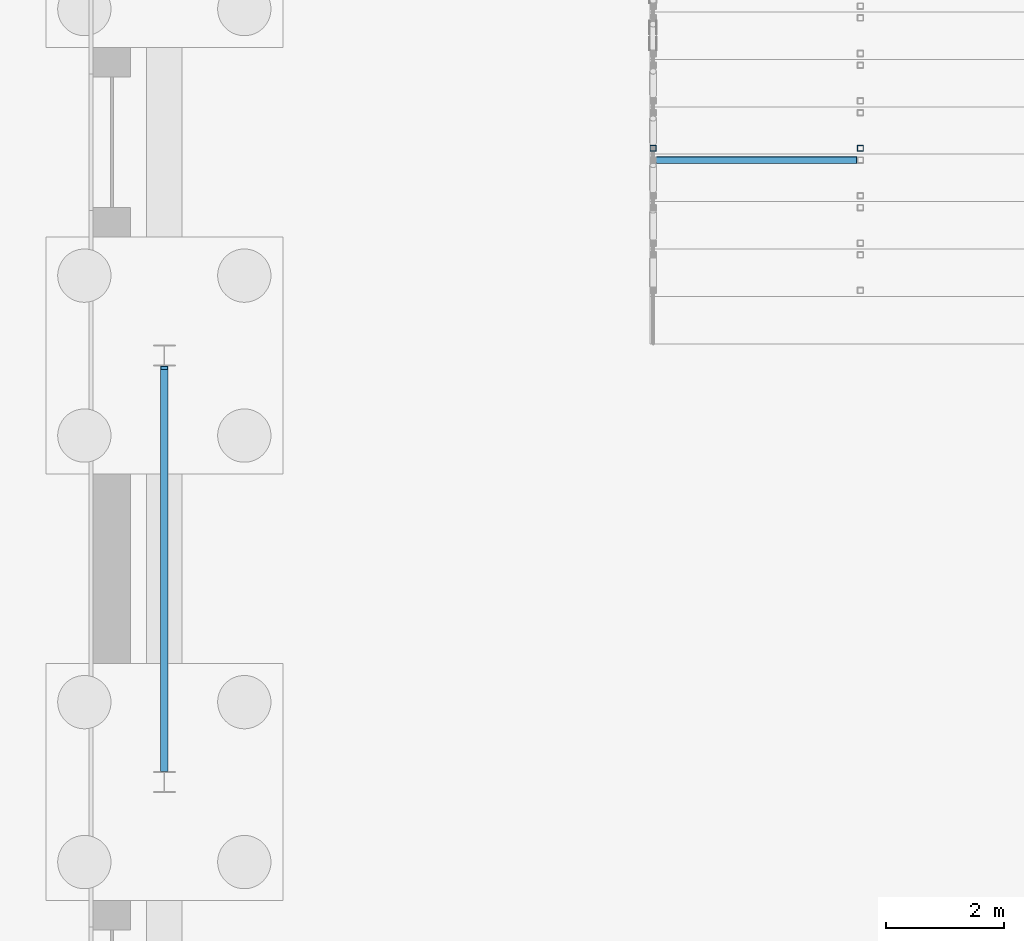
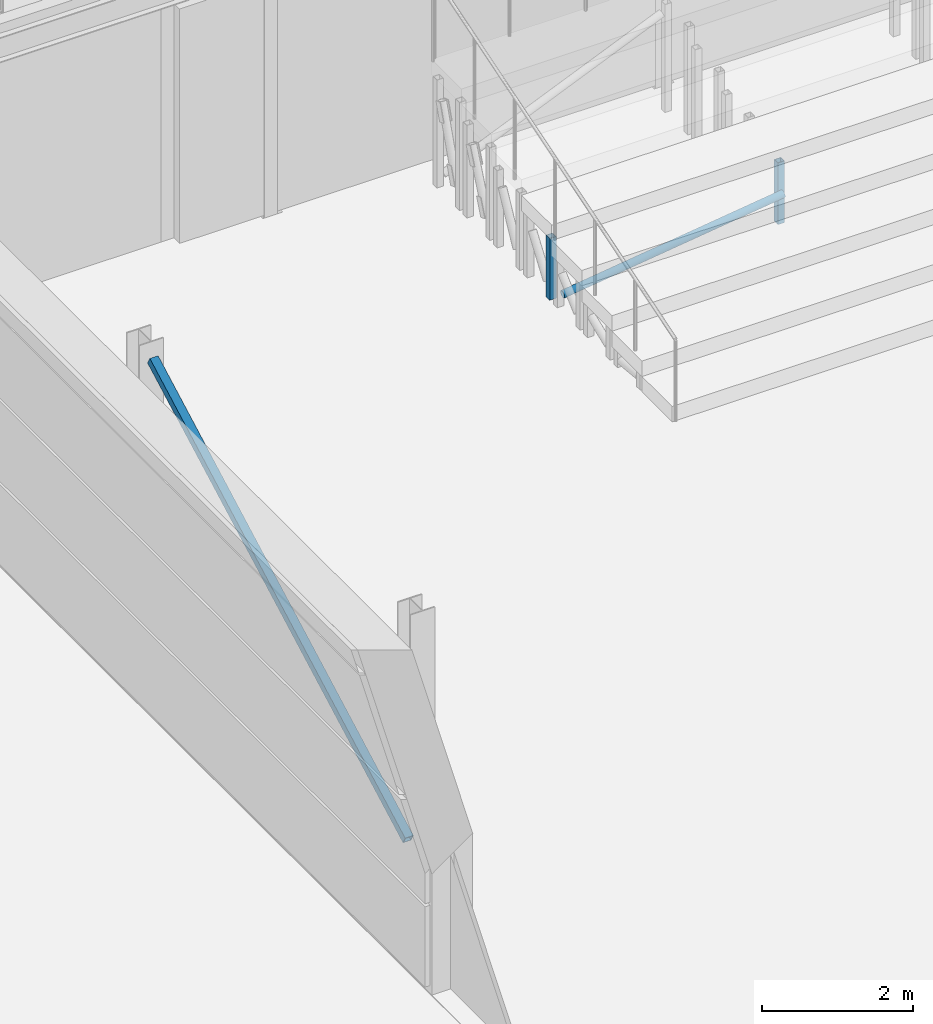
# One storey, part 28 of 139: 4 members.
"""IFC4 building model written with IfcOpenShell, lengths in metres."""

from ifc_helpers import new_model, si_unit, direction, frame, origin, origin_2d, place, context, subcontext, project, spatial, hollow_rectangle, hollow_circle, extrude, material, material_profile, profile_set, type_object, element, save


model = new_model("IFC4")

# Units and contexts
model_context = context("Model", 3, precision=1e-05, world=origin(), true_north=direction((0.0, 1.0)))
body_context = subcontext(model_context, "Body", "Model", "MODEL_VIEW")
ifc_project = project(units=[si_unit("LENGTHUNIT", "METRE"), si_unit("AREAUNIT", "SQUARE_METRE"), si_unit("VOLUMEUNIT", "CUBIC_METRE"), si_unit("PLANEANGLEUNIT", "RADIAN"), si_unit("MASSUNIT", "GRAM", prefix="KILO")], contexts=[model_context])

# Site, building, storey
site_placement = place(None, origin())
site = spatial("IfcSite", under=ifc_project, at=site_placement, CompositionType="ELEMENT")
building_placement = place(site_placement, origin())
building = spatial("IfcBuilding", under=site, at=building_placement, Name="Verrick Yard Athletic Hall", CompositionType="ELEMENT")
storey_placement = place(building_placement, origin())
storey = spatial("IfcBuildingStorey", under=building, at=storey_placement, Name="L00", CompositionType="ELEMENT", Elevation=0.0)

# Members
ifc_material = material(Name="Structural steel HSS Class C 350W (CSA G40.20/G40.21)", Category="steel")
ifc_material_profile_1 = material_profile(ifc_material, hollow_circle(Radius=0.05712890625, WallThickness=0.00634765625, at=origin_2d()), Name="HSS114x6.4")
ifc_profile_set_1 = profile_set([ifc_material_profile_1], Name="Structural steel HSS Class C 350W (CSA G40.20/G40.21)")
member_type_1 = type_object("IfcMemberType", Name="HB roof brace HSS114x6.4", PredefinedType="BRACE", material=ifc_profile_set_1)
member_1_placement = place(storey_placement, frame((36.30908203125, 96.89990234375, 0.15087890625), z_axis=(0.991337515956, 0.0, 0.131338986816), x_axis=(0.0, 1.0, 0.0)))
element("IfcMember", 1, at=member_1_placement, inside=storey, type_object=member_type_1, Name="HB-BRL-RSB1-a4", PredefinedType="BRACE", context=body_context, shape_type="SweptSolid", body=[
    extrude(hollow_circle(Radius=0.05712890625, WallThickness=0.00634765625, at=origin_2d()), origin(), (0.0, 0.0, 1.0), 3.412841796875),
])
ifc_material_profile_2 = material_profile(ifc_material, hollow_rectangle(XDim=0.1015625, YDim=0.1015625, WallThickness=0.00634765625, at=origin_2d()), Name="HSS102x102x6.4")
ifc_profile_set_2 = profile_set([ifc_material_profile_2], Name="Structural steel HSS Class C 350W (CSA G40.20/G40.21)")
member_type_2 = type_object("IfcMemberType", Name="HB seating post HSS102x102x6.4", PredefinedType="POST", material=ifc_profile_set_2)
for number, where, z_axis, x_axis, name in (
    (2, (36.250732421875, 97.10009765625, 0.0), (0.0, 0.0, 1.0), (0.0, 1.0, 0.0), "HB-SP-RSB1-T5f1"),
    (3, (39.750732421875, 97.10009765625, 0.0), (0.0, 0.0, 1.0), (0.0, 1.0, 0.0), "HB-SP-RSB1-T5f2"),
):
    element("IfcMember", number, at=place(storey_placement, frame(where, z_axis=z_axis, x_axis=x_axis)), inside=storey, type_object=member_type_2, Name=name, PredefinedType="POST", context=body_context, shape_type="SweptSolid", body=[
        extrude(hollow_rectangle(XDim=0.1015625, YDim=0.1015625, WallThickness=0.00634765625, at=origin_2d()), origin(), (0.0, 0.0, 1.0), 1.0),
    ])
ifc_material_profile_3 = material_profile(ifc_material, hollow_rectangle(XDim=0.126953125, YDim=0.126953125, WallThickness=0.009521484375, at=origin_2d()), Name="HSS127x127x9.5")
ifc_profile_set_3 = profile_set([ifc_material_profile_3], Name="Structural steel HSS Class C 350W (CSA G40.20/G40.21)")
member_type_3 = type_object("IfcMemberType", Name="HB wall brace HSS127x127x9.5", PredefinedType="BRACE", material=ifc_profile_set_3)
member_2_placement = place(storey_placement, frame((28.0, 86.608154296875, 0.46630859375), z_axis=(0.0, 0.879765571359, 0.475407761245), x_axis=(-1.0, 0.0, 0.0)))
element("IfcMember", 4, at=member_2_placement, inside=storey, type_object=member_type_3, Name="HB-BRW-BW-3-L00", PredefinedType="BRACE", context=body_context, shape_type="SweptSolid", body=[
    extrude(hollow_rectangle(XDim=0.126953125, YDim=0.126953125, WallThickness=0.009521484375, at=origin_2d()), origin(), (0.0, 0.0, 1.0), 7.710693359375),
])

save(model, "model.ifc")
